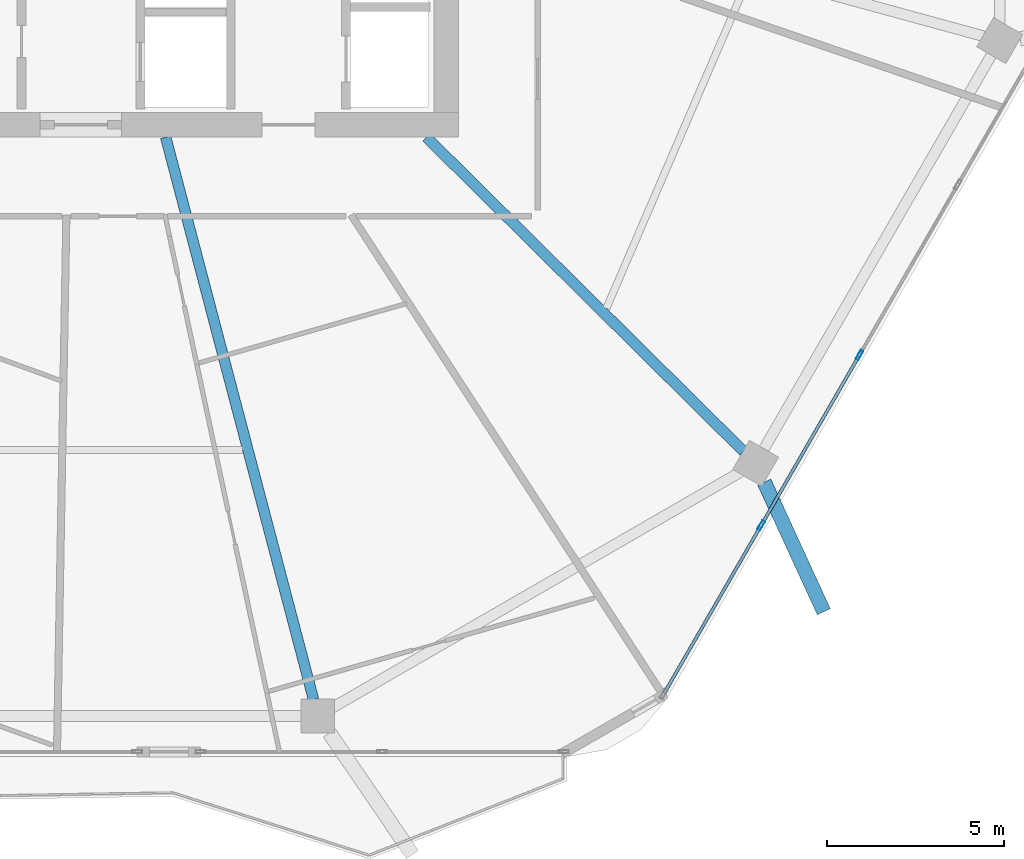
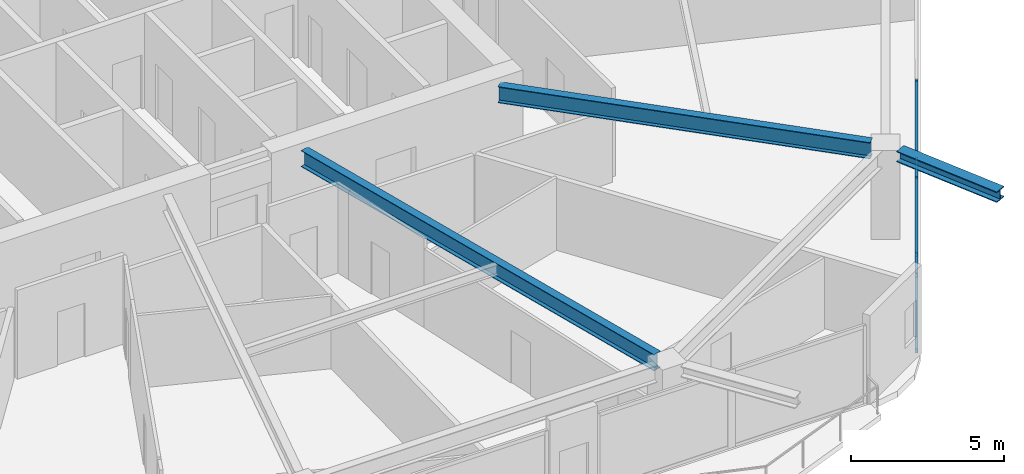
# One storey, part 8 of 27: 6 members, 3 beams, 1 element without a shape of its own.
"""IFC4 building model written with IfcOpenShell, lengths in metres."""

from ifc_helpers import new_model, si_unit, direction, frame, origin, origin_2d, place, context, subcontext, project, spatial, hollow_rectangle, i_section, extrude, material, material_profile, profile_set, type_object, element, aggregate, save


model = new_model("IFC4")

# Units and contexts
model_context = context("Model", 3, precision=1e-05, world=origin(), true_north=direction((0.0, 1.0)))
body_context = subcontext(model_context, "Body", "Model", "MODEL_VIEW")
ifc_project = project(units=[si_unit("LENGTHUNIT", "METRE"), si_unit("AREAUNIT", "SQUARE_METRE"), si_unit("VOLUMEUNIT", "CUBIC_METRE"), si_unit("PLANEANGLEUNIT", "RADIAN"), si_unit("MASSUNIT", "GRAM", prefix="KILO")], contexts=[model_context])

# Site, building, storey
site_placement = place(None, origin())
site = spatial("IfcSite", under=ifc_project, at=site_placement, CompositionType="ELEMENT")
building_placement = place(site_placement, origin())
building = spatial("IfcBuilding", under=site, at=building_placement, Name="Zuhravey Tower", CompositionType="ELEMENT")
storey_placement = place(building_placement, frame((0.0, 0.0, 218.800048828125)))
storey = spatial("IfcBuildingStorey", under=building, at=storey_placement, Name="L55", CompositionType="ELEMENT", Elevation=218.800048828125)

# Curtain wall, members
ifc_material_1 = material(Name="Thermally broken anodised aluminium", Category="aluminium")
curtain_wall_type = type_object("IfcCurtainWallType", Name="Zone 1-2 Residential Curtain Wall CW3", PredefinedType="NOTDEFINED", material=ifc_material_1)
curtain_wall_placement = place(storey_placement, origin())
curtain_wall = element("IfcCurtainWall", 1, at=curtain_wall_placement, inside=storey, type_object=curtain_wall_type, Name="L55 CW3 CW-L55-F6-1", PredefinedType="NOTDEFINED")
ifc_material_2 = material(Name="Anodised aluminium", Category="aluminium")
ifc_material_profile_1 = material_profile(ifc_material_2, hollow_rectangle(XDim=0.090087890625, YDim=0.284912109375, WallThickness=0.0048828125, at=origin_2d()), Name="ALU-RHS-90x285x5")
ifc_profile_set_1 = profile_set([ifc_material_profile_1], Name="Anodised aluminium")
member_type_1 = type_object("IfcMemberType", Name="Curtain-Wall Mullion 90x180", PredefinedType="MULLION", material=ifc_profile_set_1)
member_1_placement = place(storey_placement, frame((58.155029296875, 16.007568359375, 0.0), z_axis=(0.0, 0.0, 1.0), x_axis=(0.866025138215, -0.500000459979, 0.0)))
member_1 = element("IfcMember", 2, at=member_1_placement, type_object=member_type_1, Name="CW3 mullion 4", PredefinedType="MULLION", context=body_context, shape_type="SweptSolid", body=[
    extrude(hollow_rectangle(XDim=0.090087890625, YDim=0.284912109375, WallThickness=0.0048828125, at=origin_2d()), origin(), (0.0, 0.0, 1.0), 3.1220703125),
])
member_2_placement = place(storey_placement, frame((55.3828125, 11.2060546875, 0.0), z_axis=(0.0, 0.0, 1.0), x_axis=(0.866025138215, -0.500000459979, 0.0)))
member_2 = element("IfcMember", 3, at=member_2_placement, type_object=member_type_1, Name="CW3 mullion 5", PredefinedType="MULLION", context=body_context, shape_type="SweptSolid", body=[
    extrude(hollow_rectangle(XDim=0.090087890625, YDim=0.284912109375, WallThickness=0.0048828125, at=origin_2d()), origin(), (0.0, 0.0, 1.0), 3.1220703125),
])
ifc_material_profile_2 = material_profile(ifc_material_2, hollow_rectangle(XDim=0.090087890625, YDim=0.14990234375, WallThickness=0.0048828125, at=origin_2d()), Name="ALU-RHS-90x150x5")
ifc_profile_set_2 = profile_set([ifc_material_profile_2], Name="Anodised aluminium")
member_type_2 = type_object("IfcMemberType", Name="Curtain-Wall Transom 90x150", PredefinedType="USERDEFINED", material=ifc_profile_set_2)
member_3_placement = place(storey_placement, frame((58.132568359375, 15.96875, 0.044921875), z_axis=(-0.49996138257, -0.86604769842, 0.0), x_axis=(0.86604769842, -0.49996138257, 0.0)))
member_3 = element("IfcMember", 4, at=member_3_placement, type_object=member_type_2, Name="CW3 transom 4.1", ObjectType="TRANSOM", PredefinedType="USERDEFINED", context=body_context, shape_type="SweptSolid", body=[
    extrude(hollow_rectangle(XDim=0.090087890625, YDim=0.14990234375, WallThickness=0.0048828125, at=origin_2d()), origin(), (0.0, 0.0, 1.0), 5.45458984375),
])
member_4_placement = place(storey_placement, frame((58.132568359375, 15.96875, 3.076904296875), z_axis=(-0.49996138257, -0.86604769842, 0.0), x_axis=(0.86604769842, -0.49996138257, 0.0)))
member_4 = element("IfcMember", 5, at=member_4_placement, type_object=member_type_2, Name="CW3 transom 4.2", ObjectType="TRANSOM", PredefinedType="USERDEFINED", context=body_context, shape_type="SweptSolid", body=[
    extrude(hollow_rectangle(XDim=0.090087890625, YDim=0.14990234375, WallThickness=0.0048828125, at=origin_2d()), origin(), (0.0, 0.0, 1.0), 5.45458984375),
])
member_5_placement = place(storey_placement, frame((55.3603515625, 11.1669921875, 0.044921875), z_axis=(-0.499993332629, -0.866029253159, 0.0), x_axis=(0.866029253159, -0.499993332629, 0.0)))
member_5 = element("IfcMember", 6, at=member_5_placement, type_object=member_type_2, Name="CW3 transom 5.1", ObjectType="TRANSOM", PredefinedType="USERDEFINED", context=body_context, shape_type="SweptSolid", body=[
    extrude(hollow_rectangle(XDim=0.090087890625, YDim=0.14990234375, WallThickness=0.0048828125, at=origin_2d()), origin(), (0.0, 0.0, 1.0), 5.4091796875),
])
member_6_placement = place(storey_placement, frame((55.3603515625, 11.1669921875, 3.076904296875), z_axis=(-0.499993332629, -0.866029253159, 0.0), x_axis=(0.866029253159, -0.499993332629, 0.0)))
member_6 = element("IfcMember", 7, at=member_6_placement, type_object=member_type_2, Name="CW3 transom 5.2", ObjectType="TRANSOM", PredefinedType="USERDEFINED", context=body_context, shape_type="SweptSolid", body=[
    extrude(hollow_rectangle(XDim=0.090087890625, YDim=0.14990234375, WallThickness=0.0048828125, at=origin_2d()), origin(), (0.0, 0.0, 1.0), 5.4091796875),
])
aggregate(curtain_wall, [member_1, member_2, member_3, member_4, member_5, member_6])

# Beams
ifc_material_3 = material(Name="Steel SM460", Category="steel")
ifc_material_profile_3 = material_profile(ifc_material_3, i_section(OverallWidth=0.406982421875, OverallDepth=0.427978515625, WebThickness=0.02001953125, FlangeThickness=0.034912109375, at=origin_2d()), Name="H-428x407x20x35")
ifc_profile_set_3 = profile_set([ifc_material_profile_3], Name="Steel SM460")
beam_type_1 = type_object("IfcBeamType", Name="Exoskeleton Node Tie Beam H428x407", PredefinedType="BEAM", material=ifc_profile_set_3)
beam_1_placement = place(storey_placement, frame((55.47021484375, 12.420654296875, 3.3359375), z_axis=(0.417281960524, -0.908777071355, 0.0), x_axis=(0.908777071355, 0.417281960524, 0.0)))
element("IfcBeam", 8, at=beam_1_placement, inside=storey, type_object=beam_type_1, Name="L55 Exoskeleton Node Tie NT1-11", PredefinedType="BEAM", context=body_context, shape_type="SweptSolid", body=[
    extrude(i_section(OverallWidth=0.406982421875, OverallDepth=0.427978515625, WebThickness=0.02001953125, FlangeThickness=0.034912109375, at=origin_2d()), origin(), (0.0, 0.0, 1.0), 4.02001953125),
])
ifc_material_4 = material(Name="Steel SM355", Category="steel")
ifc_material_profile_4 = material_profile(ifc_material_4, i_section(OverallWidth=0.300048828125, OverallDepth=0.64990234375, WebThickness=0.012939453125, FlangeThickness=0.02197265625, at=origin_2d()), Name="H-650x300x13x22")
ifc_profile_set_4 = profile_set([ifc_material_profile_4], Name="Steel SM355")
beam_type_2 = type_object("IfcBeamType", Name="Radial Primary Girder H650x300", PredefinedType="BEAM", material=ifc_profile_set_4)
beam_2_placement = place(storey_placement, frame((38.5908203125, 22.14697265625, 3.224853515625), z_axis=(0.254299806285, -0.967125435775, 0.0), x_axis=(0.967125435775, 0.254299806285, 0.0)))
element("IfcBeam", 9, at=beam_2_placement, inside=storey, type_object=beam_type_2, Name="L55 RG2 BM-L55-RAD-10", PredefinedType="BEAM", context=body_context, shape_type="SweptSolid", body=[
    extrude(i_section(OverallWidth=0.300048828125, OverallDepth=0.64990234375, WebThickness=0.012939453125, FlangeThickness=0.02197265625, at=origin_2d()), origin(), (0.0, 0.0, 1.0), 16.396728515625),
])
beam_3_placement = place(storey_placement, frame((45.945556640625, 22.14697265625, 3.224853515625), z_axis=(0.710406645816, -0.703791444663, 0.0), x_axis=(0.703791444663, 0.710406645816, 0.0)))
element("IfcBeam", 10, at=beam_3_placement, inside=storey, type_object=beam_type_2, Name="L55 RG2 BM-L55-RAD-11", PredefinedType="BEAM", context=body_context, shape_type="SweptSolid", body=[
    extrude(i_section(OverallWidth=0.300048828125, OverallDepth=0.64990234375, WebThickness=0.012939453125, FlangeThickness=0.02197265625, at=origin_2d()), origin(), (0.0, 0.0, 1.0), 12.5849609375),
])

save(model, "model.ifc")
